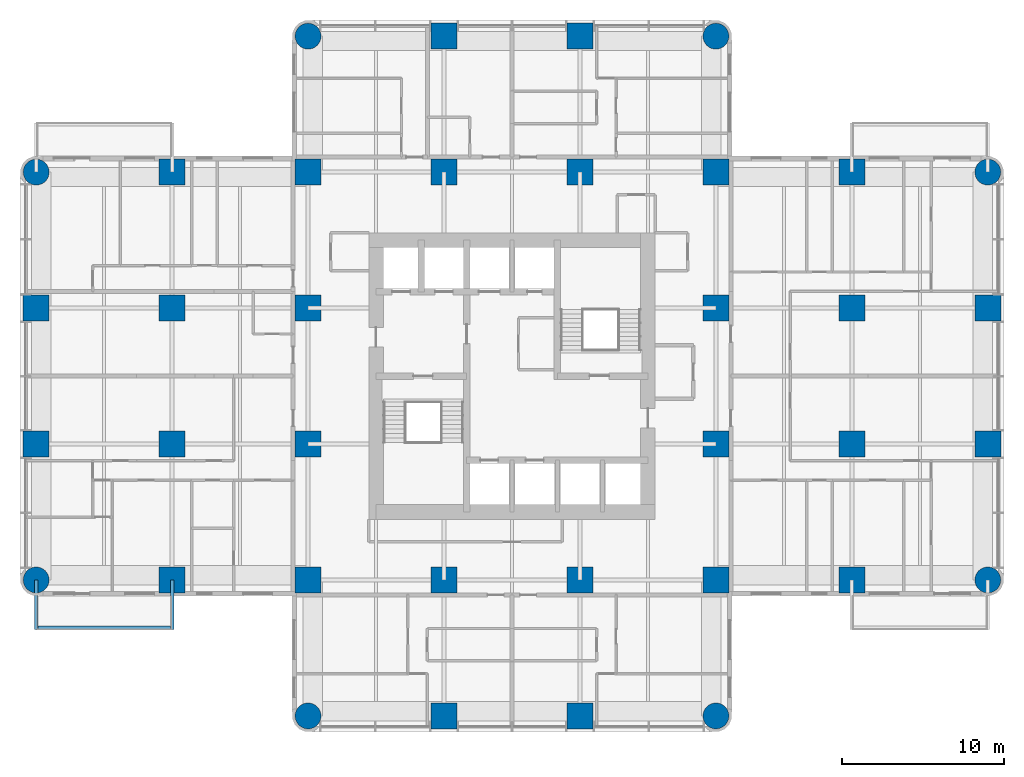
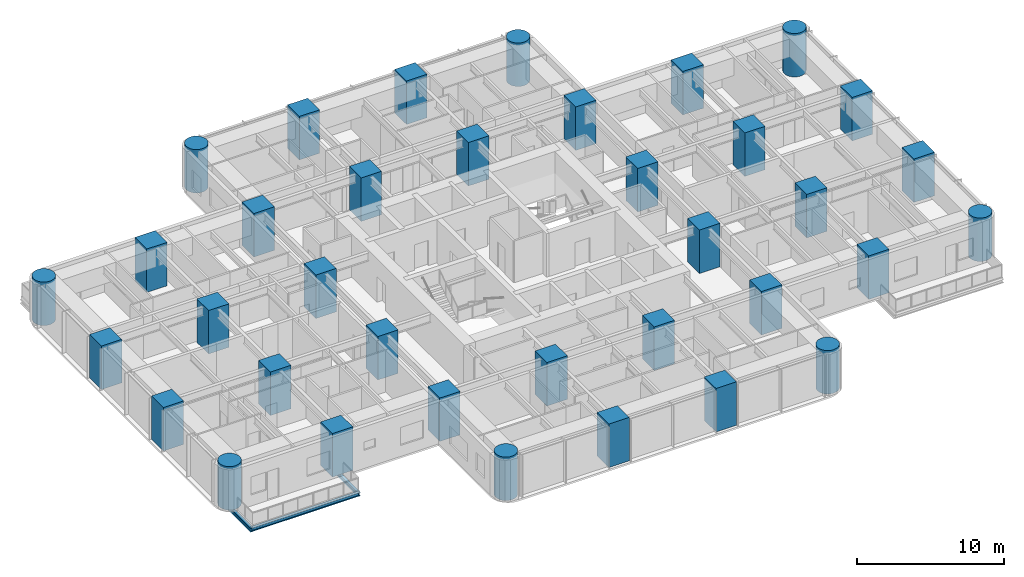
# One storey, part 1 of 14: 36 columns, 3 beams.
"""IFC4 building model written with IfcOpenShell, lengths in metres."""

from ifc_helpers import new_model, si_unit, direction, frame, origin, origin_2d, place, context, subcontext, project, spatial, rectangle, circle, i_section, extrude, material, material_profile, profile_set, type_object, element, save


model = new_model("IFC4")

# Units and contexts
model_context = context("Model", 3, precision=1e-05, world=origin(), true_north=direction((0.0, 1.0)))
body_context = subcontext(model_context, "Body", "Model", "MODEL_VIEW")
ifc_project = project(units=[si_unit("LENGTHUNIT", "METRE"), si_unit("AREAUNIT", "SQUARE_METRE"), si_unit("VOLUMEUNIT", "CUBIC_METRE"), si_unit("PLANEANGLEUNIT", "RADIAN"), si_unit("MASSUNIT", "GRAM", prefix="KILO")], contexts=[model_context])

# Site, building, storey
site_placement = place(None, origin())
site = spatial("IfcSite", under=ifc_project, at=site_placement, CompositionType="ELEMENT")
building_placement = place(site_placement, origin())
building = spatial("IfcBuilding", under=site, at=building_placement, Name="Torre Alcanfor", CompositionType="ELEMENT")
storey_placement = place(building_placement, frame((0.0, 0.0, 130.5)))
storey = spatial("IfcBuildingStorey", under=building, at=storey_placement, Name="L33", CompositionType="ELEMENT", Elevation=130.5)

# Columns
ifc_material_1 = material(Name="Concrete f'c 70 MPa", Category="concrete")
ifc_material_profile_1 = material_profile(ifc_material_1, rectangle(XDim=1.60009765625, YDim=1.60009765625, at=origin_2d()), Name="1600x1600")
ifc_profile_set_1 = profile_set([ifc_material_profile_1], Name="Concrete f'c 70 MPa")
column_type_1 = type_object("IfcColumnType", Name="RC column 1600x1600 f'c70", PredefinedType="COLUMN", material=ifc_profile_set_1)
for number, where, z_axis, x_axis, name in (
    (1, (0.0, 25.199951171875, 0.0), (0.0, 0.0, 1.0), (1.0, 0.0, 0.0), "Column 1/F L33"),
    (2, (0.0, 33.60009765625, 0.0), (0.0, 0.0, 1.0), (1.0, 0.0, 0.0), "Column 1/G L33"),
    (3, (8.39990234375, 16.800048828125, 0.0), (0.0, 0.0, 1.0), (1.0, 0.0, 0.0), "Column 2/E L33"),
    (4, (8.39990234375, 25.199951171875, 0.0), (0.0, 0.0, 1.0), (1.0, 0.0, 0.0), "Column 2/F L33"),
    (5, (8.39990234375, 33.60009765625, 0.0), (0.0, 0.0, 1.0), (1.0, 0.0, 0.0), "Column 2/G L33"),
    (6, (8.39990234375, 42.0, 0.0), (0.0, 0.0, 1.0), (1.0, 0.0, 0.0), "Column 2/H L33"),
    (7, (16.800048828125, 16.800048828125, 0.0), (0.0, 0.0, 1.0), (1.0, 0.0, 0.0), "Column 3/E L33"),
    (8, (16.800048828125, 25.199951171875, 0.0), (0.0, 0.0, 1.0), (1.0, 0.0, 0.0), "Column 3/F L33"),
    (9, (16.800048828125, 33.60009765625, 0.0), (0.0, 0.0, 1.0), (1.0, 0.0, 0.0), "Column 3/G L33"),
    (10, (16.800048828125, 42.0, 0.0), (0.0, 0.0, 1.0), (1.0, 0.0, 0.0), "Column 3/H L33"),
    (11, (25.199951171875, 8.39990234375, 0.0), (0.0, 0.0, 1.0), (1.0, 0.0, 0.0), "Column 4/D L33"),
    (12, (25.199951171875, 16.800048828125, 0.0), (0.0, 0.0, 1.0), (1.0, 0.0, 0.0), "Column 4/E L33"),
    (13, (25.199951171875, 42.0, 0.0), (0.0, 0.0, 1.0), (1.0, 0.0, 0.0), "Column 4/H L33"),
    (14, (25.199951171875, 50.39990234375, 0.0), (0.0, 0.0, 1.0), (1.0, 0.0, 0.0), "Column 4/J L33"),
    (15, (33.60009765625, 8.39990234375, 0.0), (0.0, 0.0, 1.0), (1.0, 0.0, 0.0), "Column 5/D L33"),
    (16, (33.60009765625, 16.800048828125, 0.0), (0.0, 0.0, 1.0), (1.0, 0.0, 0.0), "Column 5/E L33"),
    (17, (33.60009765625, 42.0, 0.0), (0.0, 0.0, 1.0), (1.0, 0.0, 0.0), "Column 5/H L33"),
    (18, (33.60009765625, 50.39990234375, 0.0), (0.0, 0.0, 1.0), (1.0, 0.0, 0.0), "Column 5/J L33"),
    (19, (42.0, 16.800048828125, 0.0), (0.0, 0.0, 1.0), (1.0, 0.0, 0.0), "Column 6/E L33"),
    (20, (42.0, 25.199951171875, 0.0), (0.0, 0.0, 1.0), (1.0, 0.0, 0.0), "Column 6/F L33"),
    (21, (42.0, 33.60009765625, 0.0), (0.0, 0.0, 1.0), (1.0, 0.0, 0.0), "Column 6/G L33"),
    (22, (42.0, 42.0, 0.0), (0.0, 0.0, 1.0), (1.0, 0.0, 0.0), "Column 6/H L33"),
    (23, (50.39990234375, 16.800048828125, 0.0), (0.0, 0.0, 1.0), (1.0, 0.0, 0.0), "Column 7/E L33"),
    (24, (50.39990234375, 25.199951171875, 0.0), (0.0, 0.0, 1.0), (1.0, 0.0, 0.0), "Column 7/F L33"),
    (25, (50.39990234375, 33.60009765625, 0.0), (0.0, 0.0, 1.0), (1.0, 0.0, 0.0), "Column 7/G L33"),
    (26, (50.39990234375, 42.0, 0.0), (0.0, 0.0, 1.0), (1.0, 0.0, 0.0), "Column 7/H L33"),
    (27, (58.800048828125, 25.199951171875, 0.0), (0.0, 0.0, 1.0), (1.0, 0.0, 0.0), "Column 8/F L33"),
    (28, (58.800048828125, 33.60009765625, 0.0), (0.0, 0.0, 1.0), (1.0, 0.0, 0.0), "Column 8/G L33"),
):
    element("IfcColumn", number, at=place(storey_placement, frame(where, z_axis=z_axis, x_axis=x_axis)), inside=storey, type_object=column_type_1, Name=name, PredefinedType="COLUMN", context=body_context, shape_type="SweptSolid", body=[
        extrude(rectangle(XDim=1.60009765625, YDim=1.60009765625, at=origin_2d()), origin(), (0.0, 0.0, 1.0), 3.60009765625),
    ])
ifc_material_2 = material(Name="Concrete f'c 70 MPa", Category="concrete")
ifc_material_profile_2 = material_profile(ifc_material_2, circle(Radius=0.800048828125, at=origin_2d()), Name="D1600")
ifc_profile_set_2 = profile_set([ifc_material_profile_2], Name="Concrete f'c 70 MPa")
column_type_2 = type_object("IfcColumnType", Name="RC column D1600 f'c70", PredefinedType="COLUMN", material=ifc_profile_set_2)
for number, where, z_axis, x_axis, name in (
    (29, (0.0, 16.800048828125, 0.0), (0.0, 0.0, 1.0), (1.0, 0.0, 0.0), "Column 1/E L33"),
    (30, (0.0, 42.0, 0.0), (0.0, 0.0, 1.0), (1.0, 0.0, 0.0), "Column 1/H L33"),
    (31, (16.800048828125, 8.39990234375, 0.0), (0.0, 0.0, 1.0), (1.0, 0.0, 0.0), "Column 3/D L33"),
    (32, (16.800048828125, 50.39990234375, 0.0), (0.0, 0.0, 1.0), (1.0, 0.0, 0.0), "Column 3/J L33"),
    (33, (42.0, 8.39990234375, 0.0), (0.0, 0.0, 1.0), (1.0, 0.0, 0.0), "Column 6/D L33"),
    (34, (42.0, 50.39990234375, 0.0), (0.0, 0.0, 1.0), (1.0, 0.0, 0.0), "Column 6/J L33"),
    (35, (58.800048828125, 16.800048828125, 0.0), (0.0, 0.0, 1.0), (1.0, 0.0, 0.0), "Column 8/E L33"),
    (36, (58.800048828125, 42.0, 0.0), (0.0, 0.0, 1.0), (1.0, 0.0, 0.0), "Column 8/H L33"),
):
    element("IfcColumn", number, at=place(storey_placement, frame(where, z_axis=z_axis, x_axis=x_axis)), inside=storey, type_object=column_type_2, Name=name, PredefinedType="COLUMN", context=body_context, shape_type="SweptSolid", body=[
        extrude(circle(Radius=0.800048828125, at=origin_2d()), origin(), (0.0, 0.0, 1.0), 3.60009765625),
    ])

# Beams
ifc_material_3 = material(Name="Steel ASTM A992 Grade 50", Category="steel")
ifc_material_profile_3 = material_profile(ifc_material_3, i_section(OverallWidth=0.205322265625, OverallDepth=0.309814453125, WebThickness=0.00927734375, FlangeThickness=0.016357421875, at=origin_2d()), Name="W12x50")
ifc_profile_set_3 = profile_set([ifc_material_profile_3], Name="Steel ASTM A992 Grade 50")
beam_type_1 = type_object("IfcBeamType", Name="Balcony cantilever beam W12x50", PredefinedType="BEAM", material=ifc_profile_set_3)
for number, where, z_axis, x_axis, name in (
    (37, (8.39990234375, 16.800048828125, -0.35498046875), (0.0, -1.0, 0.0), (1.0, 0.0, 0.0), "Balcony cantilever beam L33-W1 1"),
    (38, (0.0, 16.800048828125, -0.35498046875), (0.0, -1.0, 0.0), (1.0, 0.0, 0.0), "Balcony cantilever beam L33-W1 2"),
):
    element("IfcBeam", number, at=place(storey_placement, frame(where, z_axis=z_axis, x_axis=x_axis)), inside=storey, type_object=beam_type_1, Name=name, PredefinedType="BEAM", context=body_context, shape_type="SweptSolid", body=[
        extrude(i_section(OverallWidth=0.205322265625, OverallDepth=0.309814453125, WebThickness=0.00927734375, FlangeThickness=0.016357421875, at=origin_2d()), origin(), (0.0, 0.0, 1.0), 3.050048828125),
    ])
ifc_material_4 = material(Name="Steel ASTM A992 Grade 50", Category="steel")
ifc_material_profile_4 = material_profile(ifc_material_4, i_section(OverallWidth=0.203369140625, OverallDepth=0.30224609375, WebThickness=0.007568359375, FlangeThickness=0.01318359375, at=origin_2d()), Name="W12x40")
ifc_profile_set_4 = profile_set([ifc_material_profile_4], Name="Steel ASTM A992 Grade 50")
beam_type_2 = type_object("IfcBeamType", Name="Balcony edge trimmer W12x40", PredefinedType="BEAM", material=ifc_profile_set_4)
beam_placement = place(storey_placement, frame((8.39990234375, 13.851806640625, -0.35107421875), z_axis=(-1.0, 0.0, 0.0), x_axis=(0.0, -1.0, 0.0)))
element("IfcBeam", 39, at=beam_placement, inside=storey, type_object=beam_type_2, Name="Balcony edge trimmer L33-W1", PredefinedType="BEAM", context=body_context, shape_type="SweptSolid", body=[
    extrude(i_section(OverallWidth=0.203369140625, OverallDepth=0.30224609375, WebThickness=0.007568359375, FlangeThickness=0.01318359375, at=origin_2d()), origin(), (0.0, 0.0, 1.0), 8.39990234375),
])

save(model, "model.ifc")
